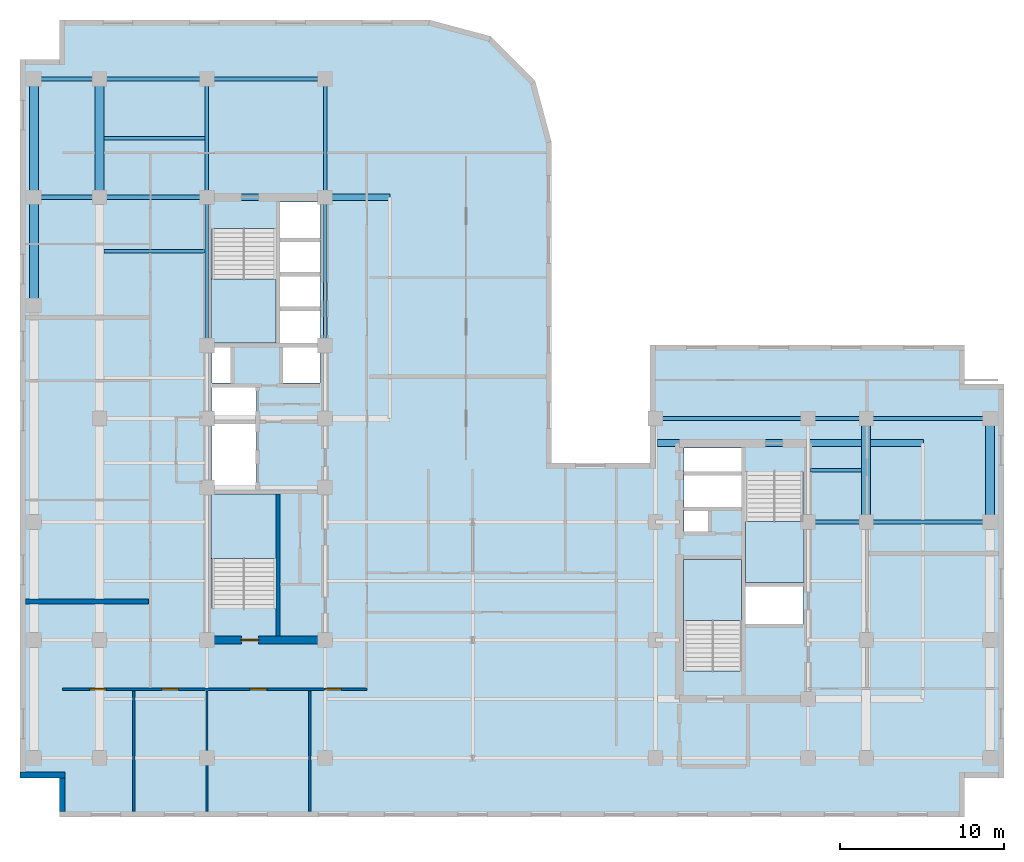
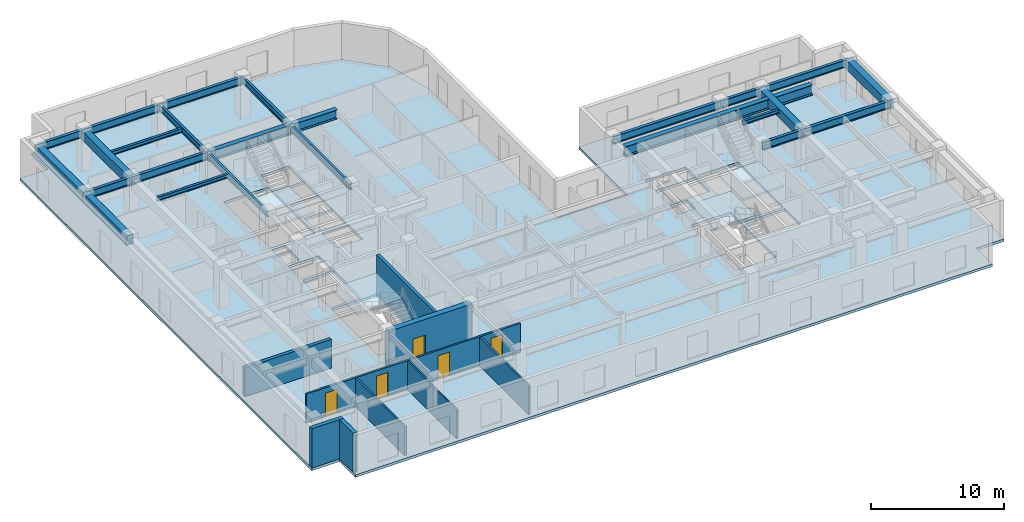
# One storey, part 3 of 11: 24 beams, 9 walls, 5 doors, 5 slabs, 5 openings, 4 elements without a shape of their own.
"""IFC4 building model written with IfcOpenShell, lengths in metres."""

from ifc_helpers import new_model, entity, si_unit, converted_unit, direction, frame, origin_with_axes, origin_2d_with_axis, place, context, subcontext, project, spatial, polyline, rectangle, i_section, outline, extrude, material, layer, layer_set, material_profile, profile_set, type_object, element, fill, aggregate, save


model = new_model("IFC4")

# Units and contexts
model_context = context("Model", 3, precision=1e-05, world=origin_with_axes(), true_north=direction((0.0, 1.0)))
body_context = subcontext(model_context, "Body", "Model", "MODEL_VIEW")
ifc_project = project(units=[si_unit("LENGTHUNIT", "METRE"), si_unit("AREAUNIT", "SQUARE_METRE"), si_unit("VOLUMEUNIT", "CUBIC_METRE"), converted_unit("PLANEANGLEUNIT", "DEGREE", entity("IfcPlaneAngleMeasure", 0.017453292519943295), si_unit("PLANEANGLEUNIT", "RADIAN"), dimensions=[0, 0, 0, 0, 0, 0, 0]), si_unit("MASSUNIT", "GRAM", prefix="KILO"), si_unit("THERMODYNAMICTEMPERATUREUNIT", "KELVIN")], contexts=[model_context])

# Site, building, storey
site_placement = place(None, origin_with_axes())
site = spatial("IfcSite", under=ifc_project, at=site_placement, CompositionType="ELEMENT")
building_placement = place(site_placement, origin_with_axes())
building = spatial("IfcBuilding", under=site, at=building_placement, Name="Varnlund Millrace Tower", CompositionType="ELEMENT")
storey_placement = place(building_placement, frame((0.0, 0.0, 216.0), z_axis=(0.0, 0.0, 1.0), x_axis=(1.0, 0.0, 0.0)))
storey = spatial("IfcBuildingStorey", under=building, at=storey_placement, Name="L53", CompositionType="ELEMENT", Elevation=216.0)

# Beams
ifc_material_1 = material(Name="Steel ASTM A992 Grade 50", Category="steel")
ifc_material_profile_1 = material_profile(ifc_material_1, i_section(OverallWidth=0.214, OverallDepth=0.549, WebThickness=0.0147, FlangeThickness=0.0236, FilletRadius=0.015, at=origin_2d_with_axis()), Name="Steel ASTM A992 Grade 50")
ifc_profile_set_1 = profile_set([ifc_material_profile_1], Name="Steel ASTM A992 Grade 50")
beam_type_1 = type_object("IfcBeamType", Name="Type-Beam-W21X93", PredefinedType="BEAM", material=ifc_profile_set_1)
beam_1_placement = place(storey_placement, frame((11.4, 28.75, 3.3255), z_axis=(0.0, 1.0, 0.0), x_axis=(-1.0, 0.0, 0.0)))
element("IfcBeam", 1, at=beam_1_placement, inside=storey, type_object=beam_type_1, Name="Type-Beam-W21X93", PredefinedType="BEAM", context=body_context, shape_type="SweptSolid", body=[
    extrude(i_section(OverallWidth=0.214, OverallDepth=0.549, WebThickness=0.0147, FlangeThickness=0.0236, FilletRadius=0.015, at=origin_2d_with_axis()), origin_with_axes(), (0.0, 0.0, 1.0), 9.05),
])
beam_2_placement = place(storey_placement, frame((11.4, 37.8, 3.3255), z_axis=(0.0, 1.0, 0.0), x_axis=(-1.0, 0.0, 0.0)))
element("IfcBeam", 2, at=beam_2_placement, inside=storey, type_object=beam_type_1, Name="Type-Beam-W21X93", PredefinedType="BEAM", context=body_context, shape_type="SweptSolid", body=[
    extrude(i_section(OverallWidth=0.214, OverallDepth=0.549, WebThickness=0.0147, FlangeThickness=0.0236, FilletRadius=0.015, at=origin_2d_with_axis()), origin_with_axes(), (0.0, 0.0, 1.0), 7.2),
])
beam_3_placement = place(storey_placement, frame((18.6, 28.75, 3.3255), z_axis=(0.0, 1.0, 0.0), x_axis=(-1.0, 0.0, 0.0)))
element("IfcBeam", 3, at=beam_3_placement, inside=storey, type_object=beam_type_1, Name="Type-Beam-W21X93", PredefinedType="BEAM", context=body_context, shape_type="SweptSolid", body=[
    extrude(i_section(OverallWidth=0.214, OverallDepth=0.549, WebThickness=0.0147, FlangeThickness=0.0236, FilletRadius=0.015, at=origin_2d_with_axis()), origin_with_axes(), (0.0, 0.0, 1.0), 9.05),
])
beam_4_placement = place(storey_placement, frame((18.6, 37.8, 3.3255), z_axis=(0.0, 1.0, 0.0), x_axis=(-1.0, 0.0, 0.0)))
element("IfcBeam", 4, at=beam_4_placement, inside=storey, type_object=beam_type_1, Name="Type-Beam-W21X93", PredefinedType="BEAM", context=body_context, shape_type="SweptSolid", body=[
    extrude(i_section(OverallWidth=0.214, OverallDepth=0.549, WebThickness=0.0147, FlangeThickness=0.0236, FilletRadius=0.015, at=origin_2d_with_axis()), origin_with_axes(), (0.0, 0.0, 1.0), 7.2),
])
ifc_material_profile_2 = material_profile(ifc_material_1, i_section(OverallWidth=0.256, OverallDepth=0.693, WebThickness=0.0145, FlangeThickness=0.0236, FilletRadius=0.018, at=origin_2d_with_axis()), Name="Steel ASTM A992 Grade 50")
ifc_profile_set_2 = profile_set([ifc_material_profile_2], Name="Steel ASTM A992 Grade 50")
beam_type_2 = type_object("IfcBeamType", Name="Type-Girder-W27X114", PredefinedType="USERDEFINED", material=ifc_profile_set_2)
beam_5_placement = place(storey_placement, frame((48.05, 18.0, 3.2535), z_axis=(1.0, 0.0, 0.0), x_axis=(0.0, 1.0, 0.0)))
element("IfcBeam", 5, at=beam_5_placement, inside=storey, type_object=beam_type_2, Name="Type-Girder-W27X114", ObjectType="GIRDER", PredefinedType="USERDEFINED", context=body_context, shape_type="SweptSolid", body=[
    extrude(i_section(OverallWidth=0.256, OverallDepth=0.693, WebThickness=0.0145, FlangeThickness=0.0236, FilletRadius=0.018, at=origin_2d_with_axis()), origin_with_axes(), (0.0, 0.0, 1.0), 3.55),
])
beam_6_placement = place(storey_placement, frame((51.6, 18.0, 3.2535), z_axis=(1.0, 0.0, 0.0), x_axis=(0.0, 1.0, 0.0)))
element("IfcBeam", 6, at=beam_6_placement, inside=storey, type_object=beam_type_2, Name="Type-Girder-W27X114", ObjectType="GIRDER", PredefinedType="USERDEFINED", context=body_context, shape_type="SweptSolid", body=[
    extrude(i_section(OverallWidth=0.256, OverallDepth=0.693, WebThickness=0.0145, FlangeThickness=0.0236, FilletRadius=0.018, at=origin_2d_with_axis()), origin_with_axes(), (0.0, 0.0, 1.0), 7.55),
])
beam_7_placement = place(storey_placement, frame((38.75, 24.3, 3.2535), z_axis=(1.0, 0.0, 0.0), x_axis=(0.0, 1.0, 0.0)))
element("IfcBeam", 7, at=beam_7_placement, inside=storey, type_object=beam_type_2, Name="Type-Girder-W27X114", ObjectType="GIRDER", PredefinedType="USERDEFINED", context=body_context, shape_type="SweptSolid", body=[
    extrude(i_section(OverallWidth=0.256, OverallDepth=0.693, WebThickness=0.0145, FlangeThickness=0.0236, FilletRadius=0.018, at=origin_2d_with_axis()), origin_with_axes(), (0.0, 0.0, 1.0), 9.3),
])
beam_8_placement = place(storey_placement, frame((48.05, 24.3, 3.2535), z_axis=(1.0, 0.0, 0.0), x_axis=(0.0, 1.0, 0.0)))
element("IfcBeam", 8, at=beam_8_placement, inside=storey, type_object=beam_type_2, Name="Type-Girder-W27X114", ObjectType="GIRDER", PredefinedType="USERDEFINED", context=body_context, shape_type="SweptSolid", body=[
    extrude(i_section(OverallWidth=0.256, OverallDepth=0.693, WebThickness=0.0145, FlangeThickness=0.0236, FilletRadius=0.018, at=origin_2d_with_axis()), origin_with_axes(), (0.0, 0.0, 1.0), 3.55),
])
beam_9_placement = place(storey_placement, frame((51.6, 24.3, 3.2535), z_axis=(1.0, 0.0, 0.0), x_axis=(0.0, 1.0, 0.0)))
element("IfcBeam", 9, at=beam_9_placement, inside=storey, type_object=beam_type_2, Name="Type-Girder-W27X114", ObjectType="GIRDER", PredefinedType="USERDEFINED", context=body_context, shape_type="SweptSolid", body=[
    extrude(i_section(OverallWidth=0.256, OverallDepth=0.693, WebThickness=0.0145, FlangeThickness=0.0236, FilletRadius=0.018, at=origin_2d_with_axis()), origin_with_axes(), (0.0, 0.0, 1.0), 7.55),
])
beam_10_placement = place(storey_placement, frame((0.85, 37.8, 3.2535), z_axis=(1.0, 0.0, 0.0), x_axis=(0.0, 1.0, 0.0)))
element("IfcBeam", 10, at=beam_10_placement, inside=storey, type_object=beam_type_2, Name="Type-Girder-W27X114", ObjectType="GIRDER", PredefinedType="USERDEFINED", context=body_context, shape_type="SweptSolid", body=[
    extrude(i_section(OverallWidth=0.256, OverallDepth=0.693, WebThickness=0.0145, FlangeThickness=0.0236, FilletRadius=0.018, at=origin_2d_with_axis()), origin_with_axes(), (0.0, 0.0, 1.0), 4.0),
])
beam_11_placement = place(storey_placement, frame((4.85, 37.8, 3.2535), z_axis=(1.0, 0.0, 0.0), x_axis=(0.0, 1.0, 0.0)))
element("IfcBeam", 11, at=beam_11_placement, inside=storey, type_object=beam_type_2, Name="Type-Girder-W27X114", ObjectType="GIRDER", PredefinedType="USERDEFINED", context=body_context, shape_type="SweptSolid", body=[
    extrude(i_section(OverallWidth=0.256, OverallDepth=0.693, WebThickness=0.0145, FlangeThickness=0.0236, FilletRadius=0.018, at=origin_2d_with_axis()), origin_with_axes(), (0.0, 0.0, 1.0), 6.55),
])
beam_12_placement = place(storey_placement, frame((0.85, 45.0, 3.2535), z_axis=(1.0, 0.0, 0.0), x_axis=(0.0, 1.0, 0.0)))
element("IfcBeam", 12, at=beam_12_placement, inside=storey, type_object=beam_type_2, Name="Type-Girder-W27X114", ObjectType="GIRDER", PredefinedType="USERDEFINED", context=body_context, shape_type="SweptSolid", body=[
    extrude(i_section(OverallWidth=0.256, OverallDepth=0.693, WebThickness=0.0145, FlangeThickness=0.0236, FilletRadius=0.018, at=origin_2d_with_axis()), origin_with_axes(), (0.0, 0.0, 1.0), 4.0),
])
beam_13_placement = place(storey_placement, frame((4.85, 45.0, 3.2535), z_axis=(1.0, 0.0, 0.0), x_axis=(0.0, 1.0, 0.0)))
element("IfcBeam", 13, at=beam_13_placement, inside=storey, type_object=beam_type_2, Name="Type-Girder-W27X114", ObjectType="GIRDER", PredefinedType="USERDEFINED", context=body_context, shape_type="SweptSolid", body=[
    extrude(i_section(OverallWidth=0.256, OverallDepth=0.693, WebThickness=0.0145, FlangeThickness=0.0236, FilletRadius=0.018, at=origin_2d_with_axis()), origin_with_axes(), (0.0, 0.0, 1.0), 6.55),
])
beam_14_placement = place(storey_placement, frame((11.4, 45.0, 3.2535), z_axis=(1.0, 0.0, 0.0), x_axis=(0.0, 1.0, 0.0)))
element("IfcBeam", 14, at=beam_14_placement, inside=storey, type_object=beam_type_2, Name="Type-Girder-W27X114", ObjectType="GIRDER", PredefinedType="USERDEFINED", context=body_context, shape_type="SweptSolid", body=[
    extrude(i_section(OverallWidth=0.256, OverallDepth=0.693, WebThickness=0.0145, FlangeThickness=0.0236, FilletRadius=0.018, at=origin_2d_with_axis()), origin_with_axes(), (0.0, 0.0, 1.0), 7.2),
])
ifc_material_profile_3 = material_profile(ifc_material_1, i_section(OverallWidth=0.399, OverallDepth=0.855, WebThickness=0.0182, FlangeThickness=0.0292, FilletRadius=0.022, at=origin_2d_with_axis()), Name="Steel ASTM A992 Grade 50")
ifc_profile_set_3 = profile_set([ifc_material_profile_3], Name="Steel ASTM A992 Grade 50")
beam_type_3 = type_object("IfcBeamType", Name="Type-Girder-W33X201", PredefinedType="USERDEFINED", material=ifc_profile_set_3)
beam_15_placement = place(storey_placement, frame((11.4, 37.8, 3.1725), z_axis=(1.0, 0.0, 0.0), x_axis=(0.0, 1.0, 0.0)))
element("IfcBeam", 15, at=beam_15_placement, inside=storey, type_object=beam_type_3, Name="Type-Girder-W33X201", ObjectType="GIRDER", PredefinedType="USERDEFINED", context=body_context, shape_type="SweptSolid", body=[
    extrude(i_section(OverallWidth=0.399, OverallDepth=0.855, WebThickness=0.0182, FlangeThickness=0.0292, FilletRadius=0.022, at=origin_2d_with_axis()), origin_with_axes(), (0.0, 0.0, 1.0), 11.15),
])
ifc_material_2 = material(Name="Steel ASTM A913 Grade 65", Category="steel")
ifc_material_profile_4 = material_profile(ifc_material_2, i_section(OverallWidth=0.423, OverallDepth=0.948, WebThickness=0.024, FlangeThickness=0.0427, FilletRadius=0.025, at=origin_2d_with_axis()), Name="Steel ASTM A913 Grade 65")
ifc_profile_set_4 = profile_set([ifc_material_profile_4], Name="Steel ASTM A913 Grade 65")
beam_type_4 = type_object("IfcBeamType", Name="Type-Girder-W36X302", PredefinedType="USERDEFINED", material=ifc_profile_set_4)
beam_16_placement = place(storey_placement, frame((38.857, 22.8, 3.126), z_axis=(1.0, 0.0, 0.0), x_axis=(0.0, 1.0, 0.0)))
element("IfcBeam", 16, at=beam_16_placement, inside=storey, type_object=beam_type_4, Name="Type-Girder-W36X302", ObjectType="GIRDER", PredefinedType="USERDEFINED", context=body_context, shape_type="SweptSolid", body=[
    extrude(i_section(OverallWidth=0.423, OverallDepth=0.948, WebThickness=0.024, FlangeThickness=0.0427, FilletRadius=0.025, at=origin_2d_with_axis()), origin_with_axes(), (0.0, 0.0, 1.0), 16.243),
])
ifc_material_profile_5 = material_profile(ifc_material_1, i_section(OverallWidth=0.204, OverallDepth=0.35, WebThickness=0.0086, FlangeThickness=0.0151, FilletRadius=0.013, at=origin_2d_with_axis()), Name="Steel ASTM A992 Grade 50")
ifc_profile_set_5 = profile_set([ifc_material_profile_5], Name="Steel ASTM A992 Grade 50")
beam_type_5 = type_object("IfcBeamType", Name="Type-Joist-W14X48", PredefinedType="JOIST", material=ifc_profile_set_5)
for number, where, z_axis, x_axis, name in (
    (17, (5.125, 34.5, 3.425), (1.0, 0.0, 0.0), (0.0, 1.0, 0.0), "Type-Joist-W14X48"),
    (18, (5.125, 41.4, 3.425), (1.0, 0.0, 0.0), (0.0, 1.0, 0.0), "Type-Joist-W14X48"),
):
    element("IfcBeam", number, at=place(storey_placement, frame(where, z_axis=z_axis, x_axis=x_axis)), inside=storey, type_object=beam_type_5, Name=name, PredefinedType="JOIST", context=body_context, shape_type="SweptSolid", body=[
        extrude(i_section(OverallWidth=0.204, OverallDepth=0.35, WebThickness=0.0086, FlangeThickness=0.0151, FilletRadius=0.013, at=origin_2d_with_axis()), origin_with_axes(), (0.0, 0.0, 1.0), 6.168),
    ])
beam_17_placement = place(storey_placement, frame((48.157, 21.15, 3.425), z_axis=(1.0, 0.0, 0.0), x_axis=(0.0, 1.0, 0.0)))
element("IfcBeam", 19, at=beam_17_placement, inside=storey, type_object=beam_type_5, Name="Type-Joist-W14X48", PredefinedType="JOIST", context=body_context, shape_type="SweptSolid", body=[
    extrude(i_section(OverallWidth=0.204, OverallDepth=0.35, WebThickness=0.0086, FlangeThickness=0.0151, FilletRadius=0.013, at=origin_2d_with_axis()), origin_with_axes(), (0.0, 0.0, 1.0), 3.168),
])
ifc_material_3 = material(Name="Concrete C60/75", Category="concrete")
ifc_material_profile_6 = material_profile(ifc_material_3, rectangle(XDim=0.55, YDim=0.85, at=origin_2d_with_axis()), Name="Concrete C60/75")
ifc_profile_set_6 = profile_set([ifc_material_profile_6], Name="Concrete C60/75")
beam_type_6 = type_object("IfcBeamType", Name="Type-Spandrel-RC550X850", PredefinedType="SPANDREL", material=ifc_profile_set_6)
beam_18_placement = place(storey_placement, frame((0.85, 31.2, 3.175), z_axis=(0.0, 1.0, 0.0), x_axis=(-1.0, 0.0, 0.0)))
element("IfcBeam", 20, at=beam_18_placement, inside=storey, type_object=beam_type_6, Name="Type-Spandrel-RC550X850", PredefinedType="SPANDREL", context=body_context, shape_type="SweptSolid", body=[
    extrude(rectangle(XDim=0.55, YDim=0.85, at=origin_2d_with_axis()), origin_with_axes(), (0.0, 0.0, 1.0), 6.6),
])
for number, where, z_axis, x_axis, name in (
    (21, (0.85, 37.8, 3.175), (0.0, 1.0, 0.0), (-1.0, 0.0, 0.0), "Type-Spandrel-RC550X850"),
    (22, (4.85, 37.8, 3.175), (0.0, 1.0, 0.0), (-1.0, 0.0, 0.0), "Type-Spandrel-RC550X850"),
):
    element("IfcBeam", number, at=place(storey_placement, frame(where, z_axis=z_axis, x_axis=x_axis)), inside=storey, type_object=beam_type_6, Name=name, PredefinedType="SPANDREL", context=body_context, shape_type="SweptSolid", body=[
        extrude(rectangle(XDim=0.55, YDim=0.85, at=origin_2d_with_axis()), origin_with_axes(), (0.0, 0.0, 1.0), 7.2),
    ])
for number, where, z_axis, x_axis, name in (
    (23, (51.6, 18.0, 3.175), (0.0, 1.0, 0.0), (-1.0, 0.0, 0.0), "Type-Spandrel-RC550X850"),
    (24, (59.15, 18.0, 3.175), (0.0, 1.0, 0.0), (-1.0, 0.0, 0.0), "Type-Spandrel-RC550X850"),
):
    element("IfcBeam", number, at=place(storey_placement, frame(where, z_axis=z_axis, x_axis=x_axis)), inside=storey, type_object=beam_type_6, Name=name, PredefinedType="SPANDREL", context=body_context, shape_type="SweptSolid", body=[
        extrude(rectangle(XDim=0.55, YDim=0.85, at=origin_2d_with_axis()), origin_with_axes(), (0.0, 0.0, 1.0), 6.3),
    ])

# Slab
ifc_layer_1 = layer(ifc_material_3, 0.24, Name="Concrete C60/75")
ifc_layer_set_1 = layer_set([ifc_layer_1], Name="Concrete C60/75")
slab_type_1 = type_object("IfcSlabType", Name="Type-Deck-Plate-Typical-240", PredefinedType="FLOOR", material=ifc_layer_set_1)
slab_1_placement = place(storey_placement, frame((0.0, 0.0, -0.24), z_axis=(0.0, 0.0, 1.0), x_axis=(1.0, 0.0, 0.0)))
element("IfcSlab", 25, at=slab_1_placement, inside=storey, type_object=slab_type_1, Name="Type-Deck-Plate-Typical-240", PredefinedType="FLOOR", context=body_context, shape_type="SweptSolid", body=[
    extrude(outline(polyline([(32.4, 21.6), (32.4, 41.2), (31.409, 44.9), (28.7, 47.609), (25.0, 48.6), (2.4, 48.6), (2.4, 46.2), (0.0, 46.2), (0.0, 2.4), (2.4, 2.4), (2.4, 0.0), (57.6, 0.0), (57.6, 2.4), (60.0, 2.4), (60.0, 26.4), (57.6, 26.4), (57.6, 28.8), (38.4, 28.8), (38.4, 21.6), (32.4, 21.6)]), holes=[polyline([(15.6, 12.715), (11.7, 12.715), (11.7, 19.7), (15.6, 19.7), (15.6, 12.715)]), polyline([(14.38, 23.98), (14.38, 19.94), (11.7, 19.94), (11.7, 23.98), (14.38, 23.98)]), polyline([(14.38, 24.24), (11.7, 24.24), (11.7, 26.2), (14.38, 26.2), (14.38, 24.24)]), polyline([(12.84, 26.46), (11.7, 26.46), (11.7, 28.65), (12.84, 28.65), (12.84, 26.46)]), polyline([(18.3, 28.9), (15.84, 28.9), (15.84, 30.98), (18.3, 30.98), (18.3, 28.9)]), polyline([(18.3, 31.02), (15.84, 31.02), (15.84, 33.08), (18.3, 33.08), (18.3, 31.02)]), polyline([(15.6, 28.9), (11.7, 28.9), (11.7, 35.885), (15.6, 35.885), (15.6, 28.9)]), polyline([(18.3, 33.12), (15.84, 33.12), (15.84, 35.18), (18.3, 35.18), (18.3, 33.12)]), polyline([(44.0, 8.915), (40.5, 8.915), (40.5, 15.7), (44.0, 15.7), (44.0, 8.915)]), polyline([(47.75, 11.74), (44.25, 11.74), (44.25, 14.06), (47.75, 14.06), (47.75, 11.74)]), polyline([(47.75, 14.3), (44.25, 14.3), (44.25, 21.085), (47.75, 21.085), (47.75, 14.3)]), polyline([(41.95, 17.42), (40.5, 17.42), (40.5, 18.72), (41.95, 18.72), (41.95, 17.42)]), polyline([(44.0, 18.88), (40.5, 18.88), (40.5, 20.94), (44.0, 20.94), (44.0, 18.88)]), polyline([(44.0, 21.0), (40.5, 21.0), (40.5, 22.5), (44.0, 22.5), (44.0, 21.0)]), polyline([(16.04, 26.46), (16.04, 28.65), (18.3, 28.65), (18.3, 26.46), (16.04, 26.46)]), polyline([(15.84, 35.22), (15.84, 37.5), (18.3, 37.5), (18.3, 35.22), (15.84, 35.22)])]), origin_with_axes(), (0.0, 0.0, 1.0), 0.24),
])

# Stair, slab
ifc_material_4 = material(Name="Concrete C50/60", Category="concrete")
stair_type_1 = type_object("IfcStairType", Name="Type-Stair-Dogleg-185-390", PredefinedType="HALF_TURN_STAIR", material=ifc_material_4)
stair_1_placement = place(storey_placement, origin_with_axes())
stair_1 = element("IfcStair", 26, at=stair_1_placement, inside=storey, type_object=stair_type_1, Name="Type-Stair-Dogleg-185-390", PredefinedType="HALF_TURN_STAIR")
ifc_layer_2 = layer(ifc_material_4, 0.2, Name="Concrete C50/60")
ifc_layer_set_2 = layer_set([ifc_layer_2], Name="Concrete C50/60")
slab_type_2 = type_object("IfcSlabType", Name="Type-StairLanding-200", PredefinedType="LANDING", material=ifc_layer_set_2)
slab_2_placement = place(storey_placement, frame((0.0, 0.0, 1.75), z_axis=(0.0, 0.0, 1.0), x_axis=(1.0, 0.0, 0.0)))
slab_2 = element("IfcSlab", 27, at=slab_2_placement, type_object=slab_type_2, Name="ST-A1 landing 1", PredefinedType="LANDING", context=body_context, shape_type="SweptSolid", body=[
    extrude(outline(polyline([(15.6, 15.78), (15.6, 19.7), (11.65, 19.7), (11.65, 15.78), (15.6, 15.78)])), origin_with_axes(), (0.0, 0.0, 1.0), 0.2),
])
aggregate(stair_1, [slab_2])

stair_2_placement = place(storey_placement, origin_with_axes())
stair_2 = element("IfcStair", 28, at=stair_2_placement, inside=storey, type_object=stair_type_1, Name="Type-Stair-Dogleg-185-390", PredefinedType="HALF_TURN_STAIR")
slab_3_placement = place(storey_placement, frame((0.0, 0.0, 1.75), z_axis=(0.0, 0.0, 1.0), x_axis=(1.0, 0.0, 0.0)))
slab_3 = element("IfcSlab", 29, at=slab_3_placement, type_object=slab_type_2, Name="ST-A2 landing 1", PredefinedType="LANDING", context=body_context, shape_type="SweptSolid", body=[
    extrude(outline(polyline([(11.65, 32.82), (11.65, 28.9), (15.6, 28.9), (15.6, 32.82), (11.65, 32.82)])), origin_with_axes(), (0.0, 0.0, 1.0), 0.2),
])
aggregate(stair_2, [slab_3])

stair_type_2 = type_object("IfcStairType", Name="Type-Stair-Dogleg-165-390", PredefinedType="HALF_TURN_STAIR", material=ifc_material_4)
stair_3_placement = place(storey_placement, origin_with_axes())
stair_3 = element("IfcStair", 30, at=stair_3_placement, inside=storey, type_object=stair_type_2, Name="Type-Stair-Dogleg-165-390", PredefinedType="HALF_TURN_STAIR")
slab_4_placement = place(storey_placement, frame((0.0, 0.0, 1.75), z_axis=(0.0, 0.0, 1.0), x_axis=(1.0, 0.0, 0.0)))
slab_4 = element("IfcSlab", 31, at=slab_4_placement, type_object=slab_type_2, Name="ST-B1 landing 1", PredefinedType="LANDING", context=body_context, shape_type="SweptSolid", body=[
    extrude(outline(polyline([(44.0, 11.98), (44.0, 15.7), (40.45, 15.7), (40.45, 11.98), (44.0, 11.98)])), origin_with_axes(), (0.0, 0.0, 1.0), 0.2),
])
aggregate(stair_3, [slab_4])

stair_4_placement = place(storey_placement, origin_with_axes())
stair_4 = element("IfcStair", 32, at=stair_4_placement, inside=storey, type_object=stair_type_2, Name="Type-Stair-Dogleg-165-390", PredefinedType="HALF_TURN_STAIR")
slab_5_placement = place(storey_placement, frame((0.0, 0.0, 1.75), z_axis=(0.0, 0.0, 1.0), x_axis=(1.0, 0.0, 0.0)))
slab_5 = element("IfcSlab", 33, at=slab_5_placement, type_object=slab_type_2, Name="ST-B2 landing 1", PredefinedType="LANDING", context=body_context, shape_type="SweptSolid", body=[
    extrude(outline(polyline([(44.25, 18.02), (44.25, 14.3), (47.8, 14.3), (47.8, 18.02), (44.25, 18.02)])), origin_with_axes(), (0.0, 0.0, 1.0), 0.2),
])
aggregate(stair_4, [slab_5])

# Wall, opening, door
ifc_material_5 = material(Name="Concrete C70/85", Category="concrete")
ifc_layer_3 = layer(ifc_material_5, 0.5, Name="Concrete C70/85")
ifc_layer_set_3 = layer_set([ifc_layer_3], Name="Concrete C70/85")
wall_type_1 = type_object("IfcWallType", Name="Type-CoreWall-Shear-500-C70", PredefinedType="SHEAR", material=ifc_layer_set_3)
wall_1_placement = place(storey_placement, frame((11.4, 10.8, 0.0), z_axis=(0.0, 0.0, 1.0), x_axis=(1.0, 0.0, 0.0)))
wall_1 = element("IfcWall", 34, at=wall_1_placement, inside=storey, type_object=wall_type_1, Name="Type-CoreWall-Shear-500-C70", PredefinedType="SHEAR", context=body_context, shape_type="SweptSolid", body=[
    extrude(outline(polyline([(0.0, -0.25), (7.2, -0.25), (7.2, 0.25), (0.0, 0.25), (0.0, -0.25)])), origin_with_axes(), (0.0, 0.0, 1.0), 3.6),
])
opening_1_placement = place(wall_1_placement, frame((2.625, 0.0, 0.0), z_axis=(0.0, 0.0, 1.0), x_axis=(1.0, 0.0, 0.0)))
opening_1 = element("IfcOpeningElement", 35, at=opening_1_placement, cuts=wall_1, Name="Opening L53:DR-STA1", PredefinedType="OPENING", context=body_context, shape_type="SweptSolid", body=[
    extrude(rectangle(XDim=1.05, YDim=0.52, at=origin_2d_with_axis()), origin_with_axes(), (0.0, 0.0, 1.0), 2.15),
])
ifc_material_6 = material(Name="Fire-rated hollow steel door", Category="steel")
door_type_1 = type_object("IfcDoorType", Name="Type-FireDoor-Stair-1050X2150", OperationType="NOTDEFINED", PredefinedType="DOOR", material=ifc_material_6)
door_1_placement = place(wall_1_placement, frame((2.625, 0.0, 0.0), z_axis=(0.0, 0.0, 1.0), x_axis=(1.0, 0.0, 0.0)))
door_1 = element("IfcDoor", 36, at=door_1_placement, inside=storey, type_object=door_type_1, Name="Type-FireDoor-Stair-1050X2150", OperationType="SINGLE_SWING_LEFT", OverallHeight=2.15, OverallWidth=1.05, PredefinedType="DOOR", context=body_context, shape_type="SweptSolid", body=[
    extrude(rectangle(XDim=1.05, YDim=0.09, at=origin_2d_with_axis()), origin_with_axes(), (0.0, 0.0, 1.0), 2.15),
])
fill(opening_1, door_1)

# Walls
ifc_material_7 = material(Name="Precast concrete C50/60", Category="concrete")
ifc_layer_4 = layer(ifc_material_7, 0.34, Name="Precast concrete C50/60")
ifc_layer_set_4 = layer_set([ifc_layer_4], Name="Precast concrete C50/60")
wall_type_2 = type_object("IfcWallType", Name="Type-ExtWall-Precast-Upper-340", PredefinedType="SOLIDWALL", material=ifc_layer_set_4)
wall_2_placement = place(storey_placement, frame((2.57, 0.34, 0.0), z_axis=(0.0, 0.0, 1.0), x_axis=(0.0, 1.0, 0.0)))
element("IfcWall", 37, at=wall_2_placement, inside=storey, type_object=wall_type_2, Name="Type-ExtWall-Precast-Upper-340", PredefinedType="SOLIDWALL", context=body_context, shape_type="SweptSolid", body=[
    extrude(outline(polyline([(0.0, -0.17), (2.06, -0.17), (2.06, 0.17), (0.0, 0.17), (0.0, -0.17)])), origin_with_axes(), (0.0, 0.0, 1.0), 3.6),
])
wall_3_placement = place(storey_placement, frame((2.74, 2.57, 0.0), z_axis=(0.0, 0.0, 1.0), x_axis=(-1.0, 0.0, 0.0)))
element("IfcWall", 38, at=wall_3_placement, inside=storey, type_object=wall_type_2, Name="Type-ExtWall-Precast-Upper-340", PredefinedType="SOLIDWALL", context=body_context, shape_type="SweptSolid", body=[
    extrude(outline(polyline([(0.0, -0.17), (2.74, -0.17), (2.74, 0.17), (0.0, 0.17), (0.0, -0.17)])), origin_with_axes(), (0.0, 0.0, 1.0), 3.6),
])
ifc_material_8 = material(Name="Double-stud STC-60 conference acoustic partition", Category="gypsum")
ifc_layer_5 = layer(ifc_material_8, 0.28, Name="Double-stud STC-60 conference acoustic partition")
ifc_layer_set_5 = layer_set([ifc_layer_5], Name="Double-stud STC-60 conference acoustic partition")
wall_type_3 = type_object("IfcWallType", Name="Type-Partition-Acoustic-280", PredefinedType="PARTITIONING", material=ifc_layer_set_5)
wall_4_placement = place(storey_placement, frame((0.335, 13.147, 0.0), z_axis=(0.0, 0.0, 1.0), x_axis=(1.0, 0.0, 0.0)))
element("IfcWall", 39, at=wall_4_placement, inside=storey, type_object=wall_type_3, Name="Type-Partition-Acoustic-280", PredefinedType="PARTITIONING", context=body_context, shape_type="SweptSolid", body=[
    extrude(outline(polyline([(0.0, -0.14), (7.495, -0.14), (7.495, 0.14), (0.0, 0.14), (0.0, -0.14)])), origin_with_axes(), (0.0, 0.0, 1.0), 2.64),
])

# Wall, openings, doors
ifc_material_9 = material(Name="Fire-rated gypsum board on cold-formed steel framing", Category="steel")
ifc_layer_6 = layer(ifc_material_9, 0.16, Name="Fire-rated gypsum board on cold-formed steel framing")
ifc_layer_set_6 = layer_set([ifc_layer_6], Name="Fire-rated gypsum board on cold-formed steel framing")
wall_type_4 = type_object("IfcWallType", Name="Type-Partition-Corridor-160", PredefinedType="PARTITIONING", material=ifc_layer_set_6)
wall_5_placement = place(storey_placement, frame((2.6, 7.8, 0.0), z_axis=(0.0, 0.0, 1.0), x_axis=(1.0, 0.0, 0.0)))
wall_5 = element("IfcWall", 40, at=wall_5_placement, inside=storey, type_object=wall_type_4, Name="Type-Partition-Corridor-160", PredefinedType="PARTITIONING", context=body_context, shape_type="SweptSolid", body=[
    extrude(outline(polyline([(0.0, -0.08), (18.55, -0.08), (18.55, 0.08), (0.0, 0.08), (0.0, -0.08)])), origin_with_axes(), (0.0, 0.0, 1.0), 2.64),
])
opening_2_placement = place(wall_5_placement, frame((2.158, 0.0, 0.0), z_axis=(0.0, 0.0, 1.0), x_axis=(1.0, 0.0, 0.0)))
opening_2 = element("IfcOpeningElement", 41, at=opening_2_placement, cuts=wall_5, Name="Opening L53:DR-WAS-01", PredefinedType="OPENING", context=body_context, shape_type="SweptSolid", body=[
    extrude(rectangle(XDim=1.0, YDim=0.18, at=origin_2d_with_axis()), origin_with_axes(), (0.0, 0.0, 1.0), 2.15),
])
opening_3_placement = place(wall_5_placement, frame((6.563, 0.0, 0.0), z_axis=(0.0, 0.0, 1.0), x_axis=(1.0, 0.0, 0.0)))
opening_3 = element("IfcOpeningElement", 42, at=opening_3_placement, cuts=wall_5, Name="Opening L53:DR-WAS-02", PredefinedType="OPENING", context=body_context, shape_type="SweptSolid", body=[
    extrude(rectangle(XDim=1.0, YDim=0.18, at=origin_2d_with_axis()), origin_with_axes(), (0.0, 0.0, 1.0), 2.15),
])
opening_4_placement = place(wall_5_placement, frame((11.931, 0.0, 0.0), z_axis=(0.0, 0.0, 1.0), x_axis=(1.0, 0.0, 0.0)))
opening_4 = element("IfcOpeningElement", 43, at=opening_4_placement, cuts=wall_5, Name="Opening L53:DR-WAS-03", PredefinedType="OPENING", context=body_context, shape_type="SweptSolid", body=[
    extrude(rectangle(XDim=1.0, YDim=0.18, at=origin_2d_with_axis()), origin_with_axes(), (0.0, 0.0, 1.0), 2.15),
])
opening_5_placement = place(wall_5_placement, frame((16.501, 0.0, 0.0), z_axis=(0.0, 0.0, 1.0), x_axis=(1.0, 0.0, 0.0)))
opening_5 = element("IfcOpeningElement", 44, at=opening_5_placement, cuts=wall_5, Name="Opening L53:DR-WAS-04", PredefinedType="OPENING", context=body_context, shape_type="SweptSolid", body=[
    extrude(rectangle(XDim=1.0, YDim=0.18, at=origin_2d_with_axis()), origin_with_axes(), (0.0, 0.0, 1.0), 2.15),
])
ifc_material_10 = material(Name="Solid-core white oak and bronze frame door")
door_type_2 = type_object("IfcDoorType", Name="Type-IntDoor-Office-1000X2150", OperationType="NOTDEFINED", PredefinedType="DOOR", material=ifc_material_10)
door_2_placement = place(wall_5_placement, frame((2.158, 0.0, 0.0), z_axis=(0.0, 0.0, 1.0), x_axis=(1.0, 0.0, 0.0)))
door_2 = element("IfcDoor", 45, at=door_2_placement, inside=storey, type_object=door_type_2, Name="Type-IntDoor-Office-1000X2150", OperationType="SINGLE_SWING_LEFT", OverallHeight=2.15, OverallWidth=1.0, PredefinedType="DOOR", context=body_context, shape_type="SweptSolid", body=[
    extrude(rectangle(XDim=1.0, YDim=0.09, at=origin_2d_with_axis()), origin_with_axes(), (0.0, 0.0, 1.0), 2.15),
])
fill(opening_2, door_2)
door_3_placement = place(wall_5_placement, frame((6.563, 0.0, 0.0), z_axis=(0.0, 0.0, 1.0), x_axis=(1.0, 0.0, 0.0)))
door_3 = element("IfcDoor", 46, at=door_3_placement, inside=storey, type_object=door_type_2, Name="Type-IntDoor-Office-1000X2150", OperationType="SINGLE_SWING_RIGHT", OverallHeight=2.15, OverallWidth=1.0, PredefinedType="DOOR", context=body_context, shape_type="SweptSolid", body=[
    extrude(rectangle(XDim=1.0, YDim=0.09, at=origin_2d_with_axis()), origin_with_axes(), (0.0, 0.0, 1.0), 2.15),
])
fill(opening_3, door_3)
door_4_placement = place(wall_5_placement, frame((11.931, 0.0, 0.0), z_axis=(0.0, 0.0, 1.0), x_axis=(1.0, 0.0, 0.0)))
door_4 = element("IfcDoor", 47, at=door_4_placement, inside=storey, type_object=door_type_2, Name="Type-IntDoor-Office-1000X2150", OperationType="SINGLE_SWING_LEFT", OverallHeight=2.15, OverallWidth=1.0, PredefinedType="DOOR", context=body_context, shape_type="SweptSolid", body=[
    extrude(rectangle(XDim=1.0, YDim=0.09, at=origin_2d_with_axis()), origin_with_axes(), (0.0, 0.0, 1.0), 2.15),
])
fill(opening_4, door_4)
door_5_placement = place(wall_5_placement, frame((16.501, 0.0, 0.0), z_axis=(0.0, 0.0, 1.0), x_axis=(1.0, 0.0, 0.0)))
door_5 = element("IfcDoor", 48, at=door_5_placement, inside=storey, type_object=door_type_2, Name="Type-IntDoor-Office-1000X2150", OperationType="SINGLE_SWING_RIGHT", OverallHeight=2.15, OverallWidth=1.0, PredefinedType="DOOR", context=body_context, shape_type="SweptSolid", body=[
    extrude(rectangle(XDim=1.0, YDim=0.09, at=origin_2d_with_axis()), origin_with_axes(), (0.0, 0.0, 1.0), 2.15),
])
fill(opening_5, door_5)

# Walls
ifc_material_11 = material(Name="Acoustic STC-50 gypsum board partition", Category="gypsum")
ifc_layer_7 = layer(ifc_material_11, 0.15, Name="Acoustic STC-50 gypsum board partition")
ifc_layer_set_7 = layer_set([ifc_layer_7], Name="Acoustic STC-50 gypsum board partition")
wall_type_5 = type_object("IfcWallType", Name="Type-Partition-Demising-150", PredefinedType="PARTITIONING", material=ifc_layer_set_7)
for number, where, z_axis, x_axis, name in (
    (49, (6.926, 0.335, 0.0), (0.0, 0.0, 1.0), (0.0, 1.0, 0.0), "Type-Partition-Demising-150"),
    (50, (17.662, 0.335, 0.0), (0.0, 0.0, 1.0), (0.0, 1.0, 0.0), "Type-Partition-Demising-150"),
):
    element("IfcWall", number, at=place(storey_placement, frame(where, z_axis=z_axis, x_axis=x_axis)), inside=storey, type_object=wall_type_5, Name=name, PredefinedType="PARTITIONING", context=body_context, shape_type="SweptSolid", body=[
        extrude(outline(polyline([(0.0, -0.075), (7.365, -0.075), (7.365, 0.075), (0.0, 0.075), (0.0, -0.075)])), origin_with_axes(), (0.0, 0.0, 1.0), 2.64),
    ])
ifc_material_12 = material(Name="Gypsum board tenant partition", Category="gypsum")
ifc_layer_8 = layer(ifc_material_12, 0.125, Name="Gypsum board tenant partition")
ifc_layer_set_8 = layer_set([ifc_layer_8], Name="Gypsum board tenant partition")
wall_type_6 = type_object("IfcWallType", Name="Type-Partition-Tenant-125", PredefinedType="PARTITIONING", material=ifc_layer_set_8)
wall_6_placement = place(storey_placement, frame((11.4, 0.335, 0.0), z_axis=(0.0, 0.0, 1.0), x_axis=(0.0, 1.0, 0.0)))
element("IfcWall", 51, at=wall_6_placement, inside=storey, type_object=wall_type_6, Name="Type-Partition-Tenant-125", PredefinedType="PARTITIONING", context=body_context, shape_type="SweptSolid", body=[
    extrude(outline(polyline([(0.0, -0.0625), (7.365, -0.0625), (7.365, 0.0625), (0.0, 0.0625), (0.0, -0.0625)])), origin_with_axes(), (0.0, 0.0, 1.0), 2.64),
])
ifc_layer_9 = layer(ifc_material_3, 0.25, Name="Concrete C60/75")
ifc_layer_set_9 = layer_set([ifc_layer_9], Name="Concrete C60/75")
wall_type_7 = type_object("IfcWallType", Name="Type-StairWall-Shear-250", PredefinedType="SHEAR", material=ifc_layer_set_9)
wall_7_placement = place(storey_placement, frame((15.725, 11.05, 0.0), z_axis=(0.0, 0.0, 1.0), x_axis=(0.0, 1.0, 0.0)))
element("IfcWall", 52, at=wall_7_placement, inside=storey, type_object=wall_type_7, Name="Type-StairWall-Shear-250", PredefinedType="SHEAR", context=body_context, shape_type="SweptSolid", body=[
    extrude(outline(polyline([(0.0, -0.125), (8.65, -0.125), (8.65, 0.125), (0.0, 0.125), (0.0, -0.125)])), origin_with_axes(), (0.0, 0.0, 1.0), 3.6),
])

save(model, "model.ifc")
